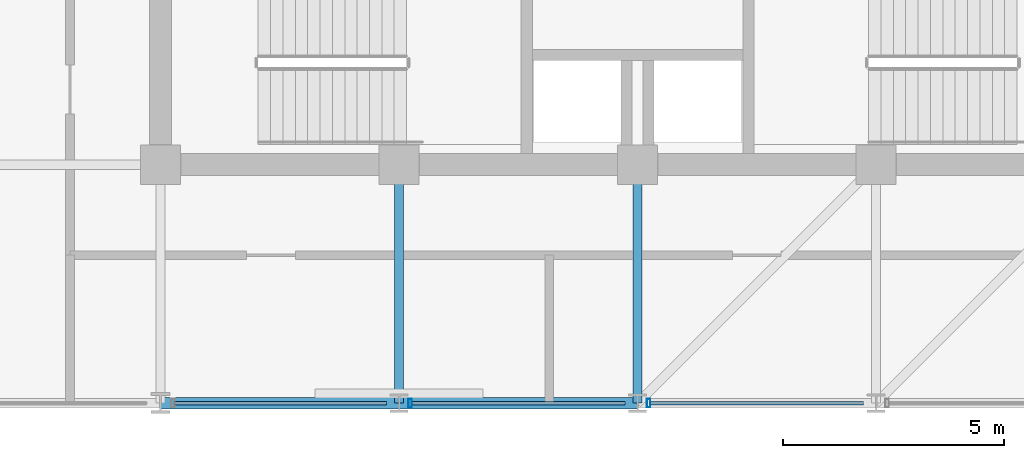
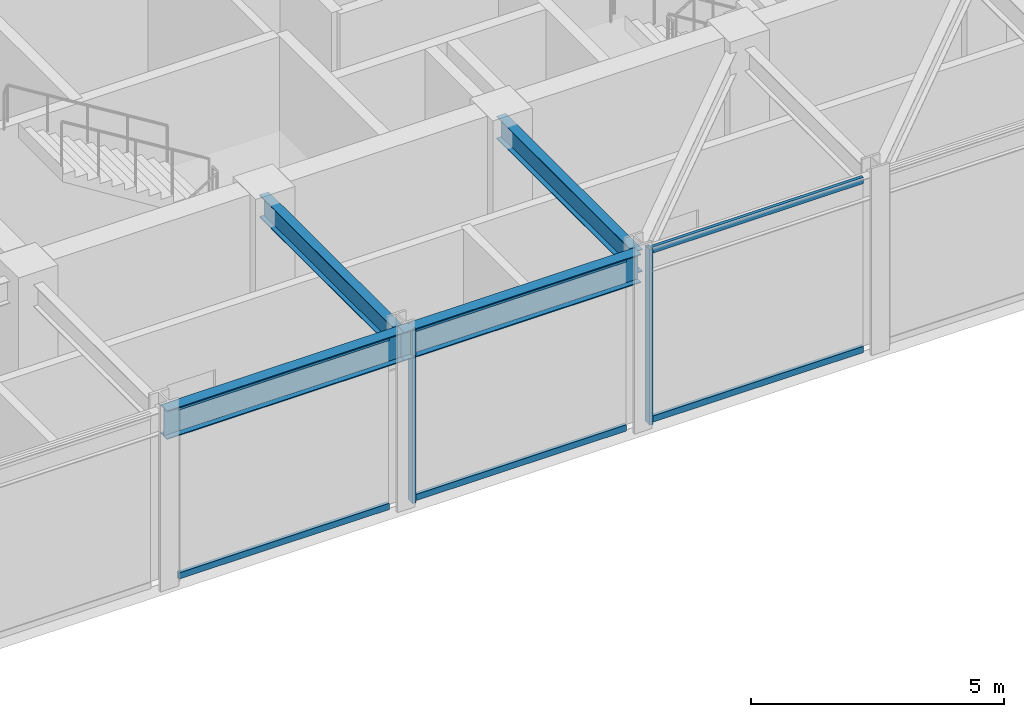
# One storey, part 4 of 22: 8 members, 4 beams, 1 element without a shape of its own.
"""IFC4 building model written with IfcOpenShell, lengths in metres."""

from ifc_helpers import new_model, si_unit, direction, frame, origin, origin_2d, place, context, subcontext, project, spatial, hollow_rectangle, i_section, extrude, material, layer, layer_set, material_profile, profile_set, type_object, element, aggregate, save


model = new_model("IFC4")

# Units and contexts
model_context = context("Model", 3, precision=1e-05, world=origin(), true_north=direction((0.0, 1.0)))
body_context = subcontext(model_context, "Body", "Model", "MODEL_VIEW")
ifc_project = project(units=[si_unit("LENGTHUNIT", "METRE"), si_unit("AREAUNIT", "SQUARE_METRE"), si_unit("VOLUMEUNIT", "CUBIC_METRE"), si_unit("PLANEANGLEUNIT", "RADIAN"), si_unit("MASSUNIT", "GRAM", prefix="KILO")], contexts=[model_context])

# Site, building, storey
site_placement = place(None, origin())
site = spatial("IfcSite", under=ifc_project, at=site_placement, CompositionType="ELEMENT")
building_placement = place(site_placement, origin())
building = spatial("IfcBuilding", under=site, at=building_placement, Name="Surkhivell Harbour Commons", CompositionType="ELEMENT")
storey_placement = place(building_placement, frame((0.0, 0.0, 342.0)))
storey = spatial("IfcBuildingStorey", under=building, at=storey_placement, Name="L89", CompositionType="ELEMENT", Elevation=342.0)

# Beams
ifc_material_1 = material(Name="Steel S355", Category="steel")
ifc_material_profile_1 = material_profile(ifc_material_1, i_section(OverallWidth=0.2099609375, OverallDepth=0.537109375, WebThickness=0.0107421875, FlangeThickness=0.017333984375, at=origin_2d()), Name="UB533x210x101")
ifc_profile_set_1 = profile_set([ifc_material_profile_1], Name="Steel S355")
beam_type_1 = type_object("IfcBeamType", Name="BM-GRD-533B", PredefinedType="BEAM", material=ifc_profile_set_1)
for number, where, z_axis, x_axis, name in (
    (1, (-5.39990234375, -16.199951171875, 3.951416015625), (0.0, 1.0, 0.0), (-1.0, 0.0, 0.0), "L89 Floor Girder (-5.4,-16.2)"),
    (2, (0.0, -16.199951171875, 3.951416015625), (0.0, 1.0, 0.0), (-1.0, 0.0, 0.0), "L89 Floor Girder (0.0,-16.2)"),
):
    element("IfcBeam", number, at=place(storey_placement, frame(where, z_axis=z_axis, x_axis=x_axis)), inside=storey, type_object=beam_type_1, Name=name, PredefinedType="BEAM", context=body_context, shape_type="SweptSolid", body=[
        extrude(i_section(OverallWidth=0.2099609375, OverallDepth=0.537109375, WebThickness=0.0107421875, FlangeThickness=0.017333984375, at=origin_2d()), origin(), (0.0, 0.0, 1.0), 5.39990234375),
    ])
ifc_material_profile_2 = material_profile(ifc_material_1, i_section(OverallWidth=0.256103515625, OverallDepth=0.693115234375, WebThickness=0.014404296875, FlangeThickness=0.023681640625, at=origin_2d()), Name="UB686x254x170")
ifc_profile_set_2 = profile_set([ifc_material_profile_2], Name="Steel S355")
beam_type_2 = type_object("IfcBeamType", Name="BM-SPN-686", PredefinedType="SPANDREL", material=ifc_profile_set_2)
beam_1_placement = place(storey_placement, frame((-10.800048828125, -16.199951171875, 3.87353515625), z_axis=(1.0, 0.0, 0.0), x_axis=(0.0, 1.0, 0.0)))
element("IfcBeam", 3, at=beam_1_placement, inside=storey, type_object=beam_type_2, Name="L89 Tube Spandrel (-10.8,-16.2)", PredefinedType="SPANDREL", context=body_context, shape_type="SweptSolid", body=[
    extrude(i_section(OverallWidth=0.256103515625, OverallDepth=0.693115234375, WebThickness=0.014404296875, FlangeThickness=0.023681640625, at=origin_2d()), origin(), (0.0, 0.0, 1.0), 5.400146484375),
])
beam_2_placement = place(storey_placement, frame((-5.39990234375, -16.199951171875, 3.87353515625), z_axis=(1.0, 0.0, 0.0), x_axis=(0.0, 1.0, 0.0)))
element("IfcBeam", 4, at=beam_2_placement, inside=storey, type_object=beam_type_2, Name="L89 Tube Spandrel (-5.4,-16.2)", PredefinedType="SPANDREL", context=body_context, shape_type="SweptSolid", body=[
    extrude(i_section(OverallWidth=0.256103515625, OverallDepth=0.693115234375, WebThickness=0.014404296875, FlangeThickness=0.023681640625, at=origin_2d()), origin(), (0.0, 0.0, 1.0), 5.39990234375),
])

# Curtain wall, members
ifc_material_2 = material(Name="Anodised pale-metal aluminium and insulated glazing", Category="aluminium")
ifc_layer = layer(ifc_material_2, 0.22998046875)
ifc_layer_set = layer_set([ifc_layer], Name="Anodised pale-metal aluminium and insulated glazing")
curtain_wall_type = type_object("IfcCurtainWallType", Name="CW-SYS-CRN", PredefinedType="NOTDEFINED", material=ifc_layer_set)
curtain_wall_placement = place(storey_placement, origin())
curtain_wall = element("IfcCurtainWall", 5, at=curtain_wall_placement, inside=storey, type_object=curtain_wall_type, Name="L89 Curtain Wall CW-L89-C03", PredefinedType="NOTDEFINED")
ifc_material_3 = material(Name="Anodised pale-metal aluminium alloy 6063-T6", Category="aluminium")
ifc_material_profile_3 = material_profile(ifc_material_3, hollow_rectangle(XDim=0.074951171875, YDim=0.18994140625, WallThickness=0.00390625, at=origin_2d()), Name="ALU-MULL-75x190")
ifc_profile_set_3 = profile_set([ifc_material_profile_3], Name="Anodised pale-metal aluminium alloy 6063-T6")
member_type_1 = type_object("IfcMemberType", Name="CWM-190", PredefinedType="MULLION", material=ifc_profile_set_3)
member_1_placement = place(storey_placement, frame((-5.150390625, -16.199951171875, 0.0), z_axis=(0.0, 0.0, 1.0), x_axis=(1.0, 0.0, 0.0)))
member_1 = element("IfcMember", 6, at=member_1_placement, type_object=member_type_1, Name="CW-CRN mullion 4", PredefinedType="MULLION", context=body_context, shape_type="SweptSolid", body=[
    extrude(hollow_rectangle(XDim=0.074951171875, YDim=0.18994140625, WallThickness=0.00390625, at=origin_2d()), origin(), (0.0, 0.0, 1.0), 4.219970703125),
])
member_2_placement = place(storey_placement, frame((0.24951171875, -16.199951171875, 0.0), z_axis=(0.0, 0.0, 1.0), x_axis=(1.0, 0.0, 0.0)))
member_2 = element("IfcMember", 7, at=member_2_placement, type_object=member_type_1, Name="CW-CRN mullion 5", PredefinedType="MULLION", context=body_context, shape_type="SweptSolid", body=[
    extrude(hollow_rectangle(XDim=0.074951171875, YDim=0.18994140625, WallThickness=0.00390625, at=origin_2d()), origin(), (0.0, 0.0, 1.0), 4.219970703125),
])
ifc_material_profile_4 = material_profile(ifc_material_3, hollow_rectangle(XDim=0.074951171875, YDim=0.14990234375, WallThickness=0.00341796875, at=origin_2d()), Name="ALU-TRAN-75x150")
ifc_profile_set_4 = profile_set([ifc_material_profile_4], Name="Anodised pale-metal aluminium alloy 6063-T6")
member_type_2 = type_object("IfcMemberType", Name="CWT-150", PredefinedType="USERDEFINED", material=ifc_profile_set_4)
member_3_placement = place(storey_placement, frame((-10.48291015625, -16.199951171875, 0.074951171875), z_axis=(1.0, 0.0, 0.0), x_axis=(0.0, 1.0, 0.0)))
member_3 = element("IfcMember", 8, at=member_3_placement, type_object=member_type_2, Name="CW-CRN transom 3.1", ObjectType="TRANSOM", PredefinedType="USERDEFINED", context=body_context, shape_type="SweptSolid", body=[
    extrude(hollow_rectangle(XDim=0.074951171875, YDim=0.14990234375, WallThickness=0.00341796875, at=origin_2d()), origin(), (0.0, 0.0, 1.0), 4.7958984375),
])
member_4_placement = place(storey_placement, frame((-10.48291015625, -16.199951171875, 4.14501953125), z_axis=(1.0, 0.0, 0.0), x_axis=(0.0, 1.0, 0.0)))
member_4 = element("IfcMember", 9, at=member_4_placement, type_object=member_type_2, Name="CW-CRN transom 3.2", ObjectType="TRANSOM", PredefinedType="USERDEFINED", context=body_context, shape_type="SweptSolid", body=[
    extrude(hollow_rectangle(XDim=0.074951171875, YDim=0.14990234375, WallThickness=0.00341796875, at=origin_2d()), origin(), (0.0, 0.0, 1.0), 4.7958984375),
])
member_5_placement = place(storey_placement, frame((-5.113037109375, -16.199951171875, 0.074951171875), z_axis=(1.0, 0.0, 0.0), x_axis=(0.0, 1.0, 0.0)))
member_5 = element("IfcMember", 10, at=member_5_placement, type_object=member_type_2, Name="CW-CRN transom 4.1", ObjectType="TRANSOM", PredefinedType="USERDEFINED", context=body_context, shape_type="SweptSolid", body=[
    extrude(hollow_rectangle(XDim=0.074951171875, YDim=0.14990234375, WallThickness=0.00341796875, at=origin_2d()), origin(), (0.0, 0.0, 1.0), 4.825927734375),
])
member_6_placement = place(storey_placement, frame((-5.113037109375, -16.199951171875, 4.14501953125), z_axis=(1.0, 0.0, 0.0), x_axis=(0.0, 1.0, 0.0)))
member_6 = element("IfcMember", 11, at=member_6_placement, type_object=member_type_2, Name="CW-CRN transom 4.2", ObjectType="TRANSOM", PredefinedType="USERDEFINED", context=body_context, shape_type="SweptSolid", body=[
    extrude(hollow_rectangle(XDim=0.074951171875, YDim=0.14990234375, WallThickness=0.00341796875, at=origin_2d()), origin(), (0.0, 0.0, 1.0), 4.825927734375),
])
member_7_placement = place(storey_placement, frame((0.287109375, -16.199951171875, 0.074951171875), z_axis=(1.0, 0.0, 0.0), x_axis=(0.0, 1.0, 0.0)))
member_7 = element("IfcMember", 12, at=member_7_placement, type_object=member_type_2, Name="CW-CRN transom 5.1", ObjectType="TRANSOM", PredefinedType="USERDEFINED", context=body_context, shape_type="SweptSolid", body=[
    extrude(hollow_rectangle(XDim=0.074951171875, YDim=0.14990234375, WallThickness=0.00341796875, at=origin_2d()), origin(), (0.0, 0.0, 1.0), 4.825927734375),
])
member_8_placement = place(storey_placement, frame((0.287109375, -16.199951171875, 4.14501953125), z_axis=(1.0, 0.0, 0.0), x_axis=(0.0, 1.0, 0.0)))
member_8 = element("IfcMember", 13, at=member_8_placement, type_object=member_type_2, Name="CW-CRN transom 5.2", ObjectType="TRANSOM", PredefinedType="USERDEFINED", context=body_context, shape_type="SweptSolid", body=[
    extrude(hollow_rectangle(XDim=0.074951171875, YDim=0.14990234375, WallThickness=0.00341796875, at=origin_2d()), origin(), (0.0, 0.0, 1.0), 4.825927734375),
])
aggregate(curtain_wall, [member_3, member_4, member_1, member_5, member_6, member_2, member_7, member_8])

save(model, "model.ifc")
